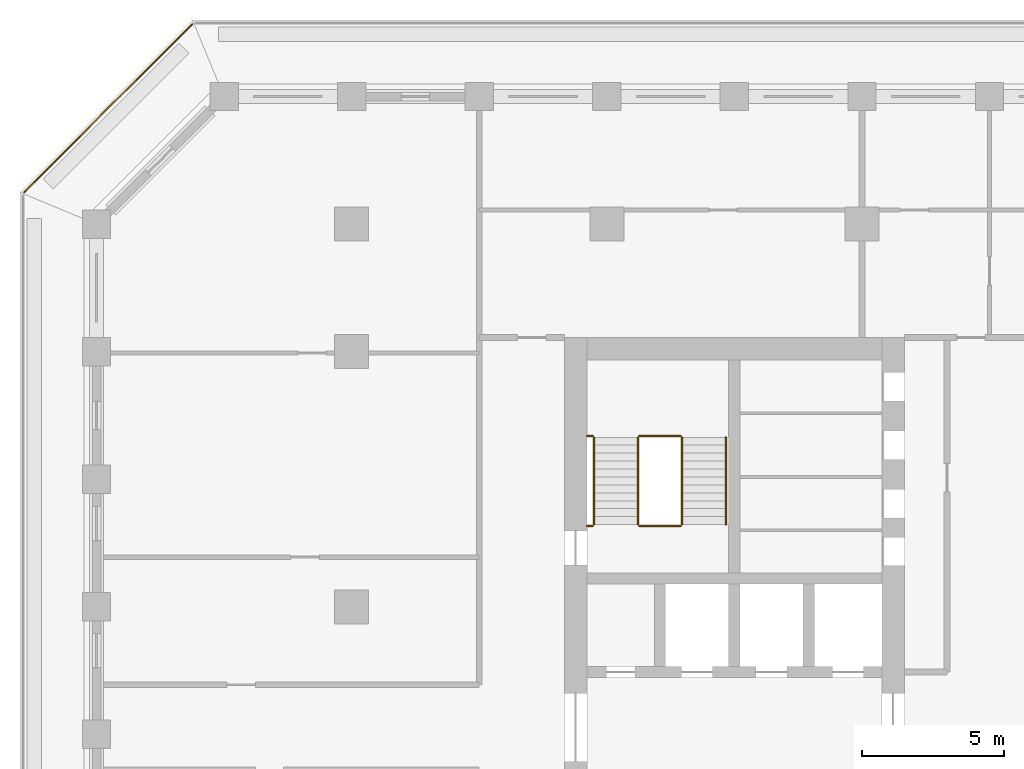
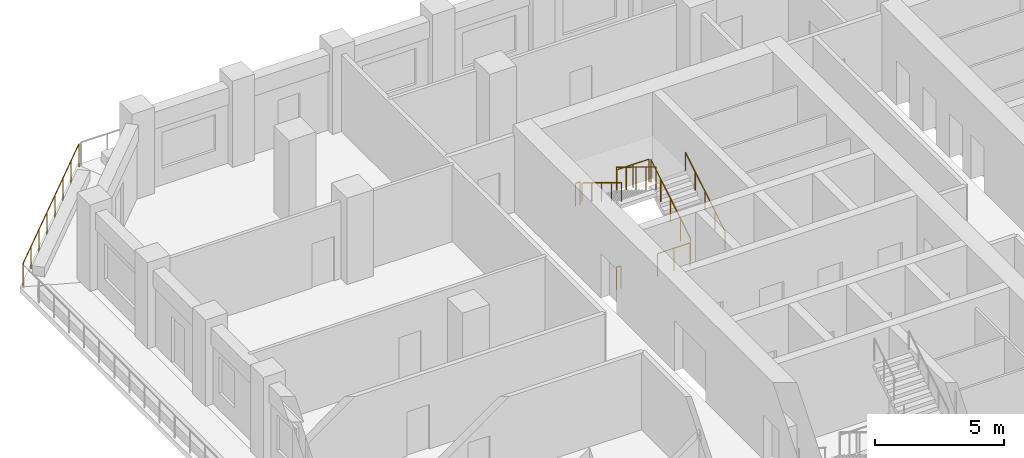
# One storey, part 13 of 16: 9 railings.
"""IFC4 building model written with IfcOpenShell, lengths in metres."""

from ifc_helpers import new_model, si_unit, direction, frame, origin, origin_2d, place, context, subcontext, project, spatial, circle, extrude, material, type_object, element, save


model = new_model("IFC4")

# Units and contexts
model_context = context("Model", 3, precision=1e-05, world=origin(), true_north=direction((0.0, 1.0)))
body_context = subcontext(model_context, "Body", "Model", "MODEL_VIEW")
ifc_project = project(units=[si_unit("LENGTHUNIT", "METRE"), si_unit("AREAUNIT", "SQUARE_METRE"), si_unit("VOLUMEUNIT", "CUBIC_METRE"), si_unit("PLANEANGLEUNIT", "RADIAN"), si_unit("MASSUNIT", "GRAM", prefix="KILO")], contexts=[model_context])

# Site, building, storey
site_placement = place(None, origin())
site = spatial("IfcSite", under=ifc_project, at=site_placement, CompositionType="ELEMENT")
building_placement = place(site_placement, origin())
building = spatial("IfcBuilding", under=site, at=building_placement, Name="Corbel Stack Research Tower", CompositionType="ELEMENT")
storey_placement = place(building_placement, frame((0.0, 0.0, 160.89990234375)))
storey = spatial("IfcBuildingStorey", under=building, at=storey_placement, Name="L36", CompositionType="ELEMENT", Elevation=160.89990234375)

# Railings
ifc_material_1 = material(Name="Steel S355", Category="steel")
railing_type_1 = type_object("IfcRailingType", Name="Stair guard 1100", PredefinedType="GUARDRAIL", material=ifc_material_1)
railing_1_placement = place(storey_placement, frame((-6.35009765625, 11.89990234375, 0.1708984375)))
element("IfcRailing", 1, at=railing_1_placement, inside=storey, type_object=railing_type_1, Name="L36 ST-W2 stair guard 1", PredefinedType="GUARDRAIL", context=body_context, shape_type="SweptSolid", body=[
    extrude(circle(Radius=0.02392578125, at=origin_2d()), frame((0.0, 0.0, 1.076171875), z_axis=(0.0, 0.853666305674, 0.52082035152), x_axis=(-1.0, 0.0, 0.0)), (0.0, 0.0, 1.0), 3.608154296875),
    extrude(circle(Radius=0.02099609375, at=origin_2d()), origin(), (0.0, 0.0, 1.0), 1.052001953125),
    extrude(circle(Radius=0.02099609375, at=origin_2d()), frame((0.0, 0.77001953125, 0.4697265625)), (0.0, 0.0, 1.0), 1.052001953125),
    extrude(circle(Radius=0.02099609375, at=origin_2d()), frame((0.0, 1.5400390625, 0.939453125)), (0.0, 0.0, 1.0), 1.052001953125),
    extrude(circle(Radius=0.02099609375, at=origin_2d()), frame((0.0, 2.31005859375, 1.409423828125)), (0.0, 0.0, 1.0), 1.052001953125),
    extrude(circle(Radius=0.02099609375, at=origin_2d()), frame((0.0, 3.080078125, 1.879150390625)), (0.0, 0.0, 1.0), 1.052001953125),
])
railing_2_placement = place(storey_placement, frame((-6.39990234375, 15.030029296875, 2.050048828125)))
element("IfcRailing", 2, at=railing_2_placement, inside=storey, type_object=railing_type_1, Name="L36 ST-W2 stair guard 2", PredefinedType="GUARDRAIL", context=body_context, shape_type="SweptSolid", body=[
    extrude(circle(Radius=0.02392578125, at=origin_2d()), frame((0.0, 0.0, 1.076171875), z_axis=(-1.0, 0.0, 0.0), x_axis=(0.0, -1.0, 0.0)), (0.0, 0.0, 1.0), 1.4501953125),
    extrude(circle(Radius=0.02099609375, at=origin_2d()), origin(), (0.0, 0.0, 1.0), 1.052001953125),
    extrude(circle(Radius=0.02099609375, at=origin_2d()), frame((-0.72509765625, 0.0, 0.0)), (0.0, 0.0, 1.0), 1.052001953125),
    extrude(circle(Radius=0.02099609375, at=origin_2d()), frame((-1.4501953125, 0.0, 0.0)), (0.0, 0.0, 1.0), 1.052001953125),
])
railing_3_placement = place(storey_placement, frame((-9.5, 15.030029296875, 2.050048828125)))
element("IfcRailing", 3, at=railing_3_placement, inside=storey, type_object=railing_type_1, Name="L36 ST-W2 stair guard 3", PredefinedType="GUARDRAIL", context=body_context, shape_type="SweptSolid", body=[
    extrude(circle(Radius=0.02392578125, at=origin_2d()), frame((0.0, 0.0, 1.076171875), z_axis=(-1.0, 0.0, 0.0), x_axis=(0.0, -1.0, 0.0)), (0.0, 0.0, 1.0), 0.199951171875),
    extrude(circle(Radius=0.02099609375, at=origin_2d()), origin(), (0.0, 0.0, 1.0), 1.052001953125),
    extrude(circle(Radius=0.02099609375, at=origin_2d()), frame((-0.199951171875, 0.0, 0.0)), (0.0, 0.0, 1.0), 1.052001953125),
])
railing_4_placement = place(storey_placement, frame((-7.89990234375, 14.97998046875, 2.220947265625)))
element("IfcRailing", 4, at=railing_4_placement, inside=storey, type_object=railing_type_1, Name="L36 ST-W2 stair guard 4", PredefinedType="GUARDRAIL", context=body_context, shape_type="SweptSolid", body=[
    extrude(circle(Radius=0.02392578125, at=origin_2d()), frame((0.0, 0.0, 1.076171875), z_axis=(0.0, -0.853666305674, 0.52082035152), x_axis=(1.0, 0.0, 0.0)), (0.0, 0.0, 1.0), 3.608154296875),
    extrude(circle(Radius=0.02099609375, at=origin_2d()), origin(), (0.0, 0.0, 1.0), 1.052001953125),
    extrude(circle(Radius=0.02099609375, at=origin_2d()), frame((0.0, -0.77001953125, 0.4697265625)), (0.0, 0.0, 1.0), 1.052001953125),
    extrude(circle(Radius=0.02099609375, at=origin_2d()), frame((0.0, -1.5400390625, 0.939453125)), (0.0, 0.0, 1.0), 1.052001953125),
    extrude(circle(Radius=0.02099609375, at=origin_2d()), frame((0.0, -2.31005859375, 1.409423828125)), (0.0, 0.0, 1.0), 1.052001953125),
    extrude(circle(Radius=0.02099609375, at=origin_2d()), frame((0.0, -3.080078125, 1.879150390625)), (0.0, 0.0, 1.0), 1.052001953125),
])
railing_5_placement = place(storey_placement, frame((-6.39990234375, 11.85009765625, 0.0)))
element("IfcRailing", 5, at=railing_5_placement, inside=storey, type_object=railing_type_1, Name="L36 ST-W2 stair guard 5", PredefinedType="GUARDRAIL", context=body_context, shape_type="SweptSolid", body=[
    extrude(circle(Radius=0.02392578125, at=origin_2d()), frame((0.0, 0.0, 1.076171875), z_axis=(-1.0, 0.0, 0.0), x_axis=(0.0, -1.0, 0.0)), (0.0, 0.0, 1.0), 1.4501953125),
    extrude(circle(Radius=0.02099609375, at=origin_2d()), origin(), (0.0, 0.0, 1.0), 1.052001953125),
    extrude(circle(Radius=0.02099609375, at=origin_2d()), frame((-0.72509765625, 0.0, 0.0)), (0.0, 0.0, 1.0), 1.052001953125),
    extrude(circle(Radius=0.02099609375, at=origin_2d()), frame((-1.4501953125, 0.0, 0.0)), (0.0, 0.0, 1.0), 1.052001953125),
])
railing_6_placement = place(storey_placement, frame((-9.5, 11.85009765625, 0.0)))
element("IfcRailing", 6, at=railing_6_placement, inside=storey, type_object=railing_type_1, Name="L36 ST-W2 stair guard 6", PredefinedType="GUARDRAIL", context=body_context, shape_type="SweptSolid", body=[
    extrude(circle(Radius=0.02392578125, at=origin_2d()), frame((0.0, 0.0, 1.076171875), z_axis=(-1.0, 0.0, 0.0), x_axis=(0.0, -1.0, 0.0)), (0.0, 0.0, 1.0), 0.199951171875),
    extrude(circle(Radius=0.02099609375, at=origin_2d()), origin(), (0.0, 0.0, 1.0), 1.052001953125),
    extrude(circle(Radius=0.02099609375, at=origin_2d()), frame((-0.199951171875, 0.0, 0.0)), (0.0, 0.0, 1.0), 1.052001953125),
])
ifc_material_2 = material(Name="Steel S355", Category="steel")
railing_type_2 = type_object("IfcRailingType", Name="Stair handrail 900", PredefinedType="HANDRAIL", material=ifc_material_2)
railing_7_placement = place(storey_placement, frame((-4.800048828125, 11.89990234375, 0.1708984375)))
element("IfcRailing", 7, at=railing_7_placement, inside=storey, type_object=railing_type_2, Name="L36 ST-W2 stair handrail 1", PredefinedType="HANDRAIL", context=body_context, shape_type="SweptSolid", body=[
    extrude(circle(Radius=0.02392578125, at=origin_2d()), frame((0.0, 0.0, 0.8759765625), z_axis=(0.0, 0.853666305674, 0.52082035152), x_axis=(-1.0, 0.0, 0.0)), (0.0, 0.0, 1.0), 3.608154296875),
    extrude(circle(Radius=0.02099609375, at=origin_2d()), origin(), (0.0, 0.0, 1.0), 0.851806640625),
    extrude(circle(Radius=0.02099609375, at=origin_2d()), frame((0.0, 0.77001953125, 0.4697265625)), (0.0, 0.0, 1.0), 0.851806640625),
    extrude(circle(Radius=0.02099609375, at=origin_2d()), frame((0.0, 1.5400390625, 0.939453125)), (0.0, 0.0, 1.0), 0.851806640625),
    extrude(circle(Radius=0.02099609375, at=origin_2d()), frame((0.0, 2.31005859375, 1.409423828125)), (0.0, 0.0, 1.0), 0.851806640625),
    extrude(circle(Radius=0.02099609375, at=origin_2d()), frame((0.0, 3.080078125, 1.879150390625)), (0.0, 0.0, 1.0), 0.851806640625),
])
railing_8_placement = place(storey_placement, frame((-9.449951171875, 14.97998046875, 2.220947265625)))
element("IfcRailing", 8, at=railing_8_placement, inside=storey, type_object=railing_type_2, Name="L36 ST-W2 stair handrail 2", PredefinedType="HANDRAIL", context=body_context, shape_type="SweptSolid", body=[
    extrude(circle(Radius=0.02392578125, at=origin_2d()), frame((0.0, 0.0, 0.8759765625), z_axis=(0.0, -0.853666305674, 0.52082035152), x_axis=(1.0, 0.0, 0.0)), (0.0, 0.0, 1.0), 3.608154296875),
    extrude(circle(Radius=0.02099609375, at=origin_2d()), origin(), (0.0, 0.0, 1.0), 0.851806640625),
    extrude(circle(Radius=0.02099609375, at=origin_2d()), frame((0.0, -0.77001953125, 0.4697265625)), (0.0, 0.0, 1.0), 0.851806640625),
    extrude(circle(Radius=0.02099609375, at=origin_2d()), frame((0.0, -1.5400390625, 0.939453125)), (0.0, 0.0, 1.0), 0.851806640625),
    extrude(circle(Radius=0.02099609375, at=origin_2d()), frame((0.0, -2.31005859375, 1.409423828125)), (0.0, 0.0, 1.0), 0.851806640625),
    extrude(circle(Radius=0.02099609375, at=origin_2d()), frame((0.0, -3.080078125, 1.879150390625)), (0.0, 0.0, 1.0), 0.851806640625),
])
ifc_material_3 = material(Name="Powder-coated steel guard", Category="steel")
railing_type_3 = type_object("IfcRailingType", Name="Steel and glass guard 1100", PredefinedType="GUARDRAIL", material=ifc_material_3)
railing_9_placement = place(storey_placement, frame((-23.627685546875, 29.54931640625, 0.0)))
element("IfcRailing", 9, at=railing_9_placement, inside=storey, type_object=railing_type_3, Name="Loggia guard L36 NW", PredefinedType="GUARDRAIL", context=body_context, shape_type="SweptSolid", body=[
    extrude(circle(Radius=0.02392578125, at=origin_2d()), frame((0.0, 0.0, 1.076171875), z_axis=(-0.707106781187, -0.707106781187, 0.0), x_axis=(0.707106781187, -0.707106781187, 0.0)), (0.0, 0.0, 1.0), 8.37451171875),
    extrude(circle(Radius=0.02099609375, at=origin_2d()), origin(), (0.0, 0.0, 1.0), 1.052001953125),
    extrude(circle(Radius=0.02099609375, at=origin_2d()), frame((-0.845947265625, -0.845947265625, 0.0)), (0.0, 0.0, 1.0), 1.052001953125),
    extrude(circle(Radius=0.02099609375, at=origin_2d()), frame((-1.69189453125, -1.69189453125, 0.0)), (0.0, 0.0, 1.0), 1.052001953125),
    extrude(circle(Radius=0.02099609375, at=origin_2d()), frame((-2.537841796875, -2.537841796875, 0.0)), (0.0, 0.0, 1.0), 1.052001953125),
    extrude(circle(Radius=0.02099609375, at=origin_2d()), frame((-3.3837890625, -3.3837890625, 0.0)), (0.0, 0.0, 1.0), 1.052001953125),
    extrude(circle(Radius=0.02099609375, at=origin_2d()), frame((-4.229736328125, -4.229736328125, 0.0)), (0.0, 0.0, 1.0), 1.052001953125),
    extrude(circle(Radius=0.02099609375, at=origin_2d()), frame((-5.07568359375, -5.07568359375, 0.0)), (0.0, 0.0, 1.0), 1.052001953125),
    extrude(circle(Radius=0.02099609375, at=origin_2d()), frame((-5.921630859375, -5.921630859375, 0.0)), (0.0, 0.0, 1.0), 1.052001953125),
])

save(model, "model.ifc")
